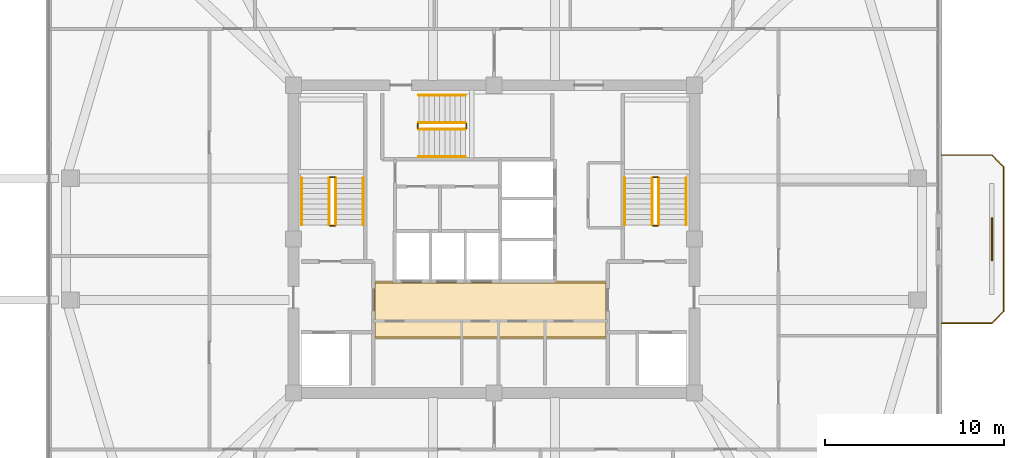
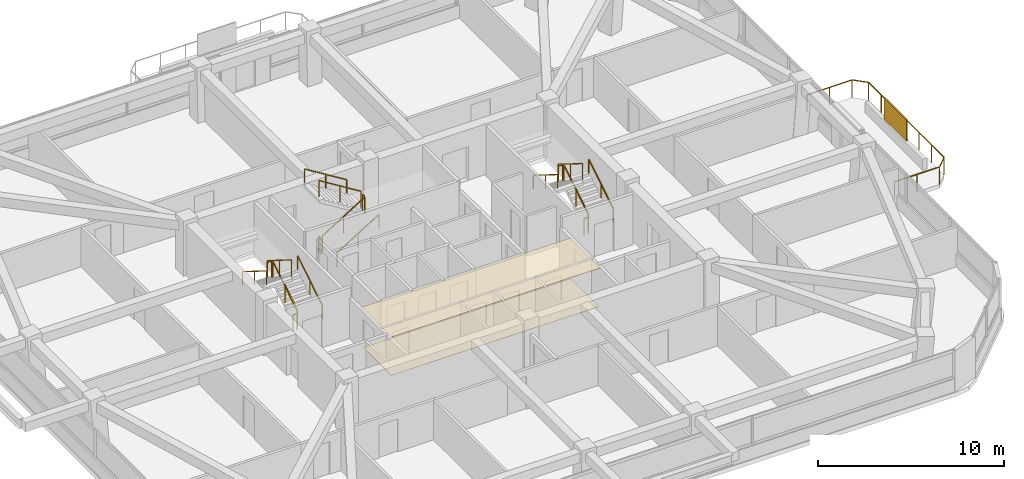
# One storey, part 12 of 13: 19 railings, 2 coverings, 1 shading device.
"""IFC4 building model written with IfcOpenShell, lengths in metres."""

from ifc_helpers import new_model, si_unit, derived_unit, direction, frame, origin, origin_2d, place, context, subcontext, project, spatial, polyline, rectangle, outline, extrude, material, layer, layer_set, type_object, element, save


model = new_model("IFC4")

# Units and contexts
model_context = context("Model", 3, precision=1e-05, world=origin(), true_north=direction((0.0, 1.0)))
body_context = subcontext(model_context, "Body", "Model", "MODEL_VIEW")
ifc_project = project(units=[si_unit("LENGTHUNIT", "METRE"), si_unit("AREAUNIT", "SQUARE_METRE"), si_unit("VOLUMEUNIT", "CUBIC_METRE"), si_unit("PLANEANGLEUNIT", "RADIAN"), si_unit("MASSUNIT", "GRAM", prefix="KILO"), derived_unit("THERMALTRANSMITTANCEUNIT", [(si_unit("POWERUNIT", "WATT"), 1), (si_unit("LENGTHUNIT", "METRE"), -2), (si_unit("THERMODYNAMICTEMPERATUREUNIT", "KELVIN"), -1)])], contexts=[model_context])

# Site, building, storey
site_placement = place(None, origin())
site = spatial("IfcSite", under=ifc_project, at=site_placement, CompositionType="ELEMENT")
building_placement = place(site_placement, origin())
building = spatial("IfcBuilding", under=site, at=building_placement, Name="Koralith Skygarden Medical Center", CompositionType="ELEMENT")
storey_placement = place(building_placement, frame((0.0, 0.0, 196.3798828125)))
storey = spatial("IfcBuildingStorey", under=building, at=storey_placement, Name="L50", CompositionType="ELEMENT", Elevation=196.3798828125)

# Covering
ifc_material_1 = material(Name="Acoustic Mineral Tile")
ifc_layer_1 = layer(ifc_material_1, 0.02001953125)
ifc_layer_set_1 = layer_set([ifc_layer_1], Name="Acoustic Mineral Tile")
covering_type_1 = type_object("IfcCoveringType", Name="Acoustic Hygienic Mineral Ceiling 20", PredefinedType="CEILING", material=ifc_layer_set_1)
covering_1_placement = place(storey_placement, frame((0.0, 0.0, 2.585205078125)))
element("IfcCovering", 1, at=covering_1_placement, inside=storey, type_object=covering_type_1, Name="L50 Core Lobby Acoustic Ceiling", PredefinedType="CEILING", context=body_context, shape_type="SweptSolid", body=[
    extrude(outline(polyline([(30.25, 20.320068359375), (43.35009765625, 20.320068359375), (43.35009765625, 23.56005859375), (30.25, 23.56005859375), (30.25, 20.320068359375)])), origin(), (0.0, 0.0, 1.0), 0.02001953125),
])

# Railing
ifc_material_2 = material(Name="Steel ASTM A500 Grade C", Category="steel")
railing_type_1 = type_object("IfcRailingType", Name="Outdoor Terrace & Balcony Safety Guardrail 1180", PredefinedType="GUARDRAIL", material=ifc_material_2)
railing_1_placement = place(storey_placement, frame((62.02587890625, 21.199951171875, 0.0)))
element("IfcRailing", 2, at=railing_1_placement, inside=storey, type_object=railing_type_1, Name="L50 E Balcony Perimeter Guardrail", PredefinedType="GUARDRAIL", context=body_context, shape_type="SweptSolid", body=[
    extrude(rectangle(XDim=0.050048828125, YDim=0.050048828125, at=origin_2d()), frame((0.001953125, 0.0, 1.15478515625), z_axis=(1.0, 0.0, 0.0), x_axis=(0.0, 1.0, 0.0)), (0.0, 0.0, 1.0), 2.795166015625),
    extrude(rectangle(XDim=0.050048828125, YDim=0.050048828125, at=origin_2d()), frame((2.800537109375, 0.00146484375, 1.15478515625), z_axis=(0.707106781187, 0.707106781187, 0.0), x_axis=(-0.707106781187, 0.707106781187, 0.0)), (0.0, 0.0, 1.0), 0.91552734375),
    extrude(rectangle(XDim=0.050048828125, YDim=0.050048828125, at=origin_2d()), frame((3.44921875, 0.652099609375, 1.15478515625), z_axis=(0.0, 1.0, 0.0), x_axis=(-1.0, 0.0, 0.0)), (0.0, 0.0, 1.0), 8.095947265625),
    extrude(rectangle(XDim=0.050048828125, YDim=0.050048828125, at=origin_2d()), frame((3.44775390625, 8.75146484375, 1.15478515625), z_axis=(-0.707106781187, 0.707106781187, 0.0), x_axis=(-0.707106781187, -0.707106781187, 0.0)), (0.0, 0.0, 1.0), 0.91552734375),
    extrude(rectangle(XDim=0.050048828125, YDim=0.050048828125, at=origin_2d()), frame((2.797119140625, 9.400146484375, 1.15478515625), z_axis=(-1.0, 0.0, 0.0), x_axis=(0.0, -1.0, 0.0)), (0.0, 0.0, 1.0), 2.795166015625),
    extrude(rectangle(XDim=0.0419921875, YDim=0.0419921875, at=origin_2d()), origin(), (0.0, 0.0, 1.0), 1.1279296875),
    extrude(rectangle(XDim=0.0419921875, YDim=0.0419921875, at=origin_2d()), frame((1.3994140625, 0.0, 0.0)), (0.0, 0.0, 1.0), 1.1279296875),
    extrude(rectangle(XDim=0.0419921875, YDim=0.0419921875, at=origin_2d()), frame((2.799072265625, 0.0, 0.0)), (0.0, 0.0, 1.0), 1.1279296875),
    extrude(rectangle(XDim=0.0419921875, YDim=0.0419921875, at=origin_2d()), frame((3.44921875, 0.650146484375, 0.0)), (0.0, 0.0, 1.0), 1.1279296875),
    extrude(rectangle(XDim=0.0419921875, YDim=0.0419921875, at=origin_2d()), frame((3.44921875, 2.0, 0.0)), (0.0, 0.0, 1.0), 1.1279296875),
    extrude(rectangle(XDim=0.0419921875, YDim=0.0419921875, at=origin_2d()), frame((3.44921875, 3.35009765625, 0.0)), (0.0, 0.0, 1.0), 1.1279296875),
    extrude(rectangle(XDim=0.0419921875, YDim=0.0419921875, at=origin_2d()), frame((3.44921875, 4.7001953125, 0.0)), (0.0, 0.0, 1.0), 1.1279296875),
    extrude(rectangle(XDim=0.0419921875, YDim=0.0419921875, at=origin_2d()), frame((3.44921875, 6.050048828125, 0.0)), (0.0, 0.0, 1.0), 1.1279296875),
    extrude(rectangle(XDim=0.0419921875, YDim=0.0419921875, at=origin_2d()), frame((3.44921875, 7.39990234375, 0.0)), (0.0, 0.0, 1.0), 1.1279296875),
    extrude(rectangle(XDim=0.0419921875, YDim=0.0419921875, at=origin_2d()), frame((3.44921875, 8.75, 0.0)), (0.0, 0.0, 1.0), 1.1279296875),
    extrude(rectangle(XDim=0.0419921875, YDim=0.0419921875, at=origin_2d()), frame((2.799072265625, 9.400146484375, 0.0)), (0.0, 0.0, 1.0), 1.1279296875),
    extrude(rectangle(XDim=0.0419921875, YDim=0.0419921875, at=origin_2d()), frame((1.3994140625, 9.400146484375, 0.0)), (0.0, 0.0, 1.0), 1.1279296875),
    extrude(rectangle(XDim=0.0419921875, YDim=0.0419921875, at=origin_2d()), frame((0.0, 9.400146484375, 0.0)), (0.0, 0.0, 1.0), 1.1279296875),
])

# Shading device
ifc_material_3 = material(Name="Aluminium 6063-T6", Category="aluminium")
ifc_layer_2 = layer(ifc_material_3, 0.080078125)
ifc_layer_set_2 = layer_set([ifc_layer_2], Name="Aluminium 6063-T6")
shading_device_type = type_object("IfcShadingDeviceType", Name="Perforated Biophilic Balcony Trellis Screen", PredefinedType="USERDEFINED", material=ifc_layer_set_2)
shading_device_placement = place(storey_placement, frame((64.824951171875, 25.89990234375, 0.72021484375), z_axis=(0.0, 0.0, 1.0), x_axis=(0.0, 1.0, 0.0)))
element("IfcShadingDevice", 3, at=shading_device_placement, inside=storey, type_object=shading_device_type, Name="L50 E Biophilic Balcony Trellis Screen", ObjectType="HURRICANE SCREEN", PredefinedType="USERDEFINED", context=body_context, shape_type="SweptSolid", body=[
    extrude(rectangle(XDim=2.39990234375, YDim=0.080078125, at=origin_2d()), origin(), (0.0, 0.0, 1.0), 1.39990234375),
])

# Covering
ifc_material_4 = material(Name="Medical Terrazzo Flooring")
ifc_layer_3 = layer(ifc_material_4, 0.014892578125)
ifc_layer_set_3 = layer_set([ifc_layer_3], Name="Medical Terrazzo Flooring")
covering_type_2 = type_object("IfcCoveringType", Name="Seamless Antimicrobial Terrazzo Flooring 15", PredefinedType="FLOORING", material=ifc_layer_set_3)
covering_2_placement = place(storey_placement, origin())
element("IfcCovering", 4, at=covering_2_placement, inside=storey, type_object=covering_type_2, Name="L50 Core Lobby Terrazzo Flooring", PredefinedType="FLOORING", context=body_context, shape_type="SweptSolid", body=[
    extrude(outline(polyline([(30.35009765625, 20.419921875), (43.25, 20.419921875), (43.25, 23.4599609375), (30.35009765625, 23.4599609375), (30.35009765625, 20.419921875)])), origin(), (0.0, 0.0, 1.0), 0.01513671875),
])

# Railings
railing_type_2 = type_object("IfcRailingType", Name="Stair Flight Tubular Handrail 920", PredefinedType="HANDRAIL", material=ifc_material_2)
railing_2_placement = place(storey_placement, frame((29.699951171875, 26.699951171875, 0.18017578125)))
element("IfcRailing", 5, at=railing_2_placement, inside=storey, type_object=railing_type_2, Name="L50 ST1 stair handrail 1", PredefinedType="HANDRAIL", context=body_context, shape_type="SweptSolid", body=[
    extrude(rectangle(XDim=0.050048828125, YDim=0.050048828125, at=origin_2d()), frame((0.0, 0.001708984375, 0.89599609375), z_axis=(0.0, 0.849668407637, 0.527317358963), x_axis=(-1.0, 0.0, 0.0)), (0.0, 0.0, 1.0), 3.06787109375),
    extrude(rectangle(XDim=0.0419921875, YDim=0.0419921875, at=origin_2d()), origin(), (0.0, 0.0, 1.0), 0.867919921875),
    extrude(rectangle(XDim=0.0419921875, YDim=0.0419921875, at=origin_2d()), frame((0.0, 1.30517578125, 0.81005859375)), (0.0, 0.0, 1.0), 0.867919921875),
    extrude(rectangle(XDim=0.0419921875, YDim=0.0419921875, at=origin_2d()), frame((0.0, 2.610107421875, 1.619873046875)), (0.0, 0.0, 1.0), 0.867919921875),
])
railing_3_placement = place(storey_placement, frame((26.25, 29.31005859375, 1.980224609375)))
element("IfcRailing", 6, at=railing_3_placement, inside=storey, type_object=railing_type_2, Name="L50 ST1 stair handrail 2", PredefinedType="HANDRAIL", context=body_context, shape_type="SweptSolid", body=[
    extrude(rectangle(XDim=0.050048828125, YDim=0.050048828125, at=origin_2d()), frame((0.0, -0.001708984375, 0.89599609375), z_axis=(0.0, -0.849668407637, 0.527317358963), x_axis=(1.0, 0.0, 0.0)), (0.0, 0.0, 1.0), 3.06787109375),
    extrude(rectangle(XDim=0.0419921875, YDim=0.0419921875, at=origin_2d()), origin(), (0.0, 0.0, 1.0), 0.867919921875),
    extrude(rectangle(XDim=0.0419921875, YDim=0.0419921875, at=origin_2d()), frame((0.0, -1.30517578125, 0.81005859375)), (0.0, 0.0, 1.0), 0.867919921875),
    extrude(rectangle(XDim=0.0419921875, YDim=0.0419921875, at=origin_2d()), frame((0.0, -2.610107421875, 1.619873046875)), (0.0, 0.0, 1.0), 0.867919921875),
])
railing_4_placement = place(storey_placement, frame((47.75, 26.699951171875, 0.18017578125)))
element("IfcRailing", 7, at=railing_4_placement, inside=storey, type_object=railing_type_2, Name="L50 ST2 stair handrail 1", PredefinedType="HANDRAIL", context=body_context, shape_type="SweptSolid", body=[
    extrude(rectangle(XDim=0.050048828125, YDim=0.050048828125, at=origin_2d()), frame((0.0, 0.001708984375, 0.89599609375), z_axis=(0.0, 0.849668407637, 0.527317358963), x_axis=(-1.0, 0.0, 0.0)), (0.0, 0.0, 1.0), 3.06787109375),
    extrude(rectangle(XDim=0.0419921875, YDim=0.0419921875, at=origin_2d()), origin(), (0.0, 0.0, 1.0), 0.867919921875),
    extrude(rectangle(XDim=0.0419921875, YDim=0.0419921875, at=origin_2d()), frame((0.0, 1.30517578125, 0.81005859375)), (0.0, 0.0, 1.0), 0.867919921875),
    extrude(rectangle(XDim=0.0419921875, YDim=0.0419921875, at=origin_2d()), frame((0.0, 2.610107421875, 1.619873046875)), (0.0, 0.0, 1.0), 0.867919921875),
])
railing_5_placement = place(storey_placement, frame((44.300048828125, 29.31005859375, 1.980224609375)))
element("IfcRailing", 8, at=railing_5_placement, inside=storey, type_object=railing_type_2, Name="L50 ST2 stair handrail 2", PredefinedType="HANDRAIL", context=body_context, shape_type="SweptSolid", body=[
    extrude(rectangle(XDim=0.050048828125, YDim=0.050048828125, at=origin_2d()), frame((0.0, -0.001708984375, 0.89599609375), z_axis=(0.0, -0.849668407637, 0.527317358963), x_axis=(1.0, 0.0, 0.0)), (0.0, 0.0, 1.0), 3.06787109375),
    extrude(rectangle(XDim=0.0419921875, YDim=0.0419921875, at=origin_2d()), origin(), (0.0, 0.0, 1.0), 0.867919921875),
    extrude(rectangle(XDim=0.0419921875, YDim=0.0419921875, at=origin_2d()), frame((0.0, -1.30517578125, 0.81005859375)), (0.0, 0.0, 1.0), 0.867919921875),
    extrude(rectangle(XDim=0.0419921875, YDim=0.0419921875, at=origin_2d()), frame((0.0, -2.610107421875, 1.619873046875)), (0.0, 0.0, 1.0), 0.867919921875),
])
railing_6_placement = place(storey_placement, frame((32.800048828125, 30.5, 0.18017578125)))
element("IfcRailing", 9, at=railing_6_placement, inside=storey, type_object=railing_type_2, Name="L50 ST3 stair handrail 1", PredefinedType="HANDRAIL", context=body_context, shape_type="SweptSolid", body=[
    extrude(rectangle(XDim=0.050048828125, YDim=0.050048828125, at=origin_2d()), frame((0.001708984375, 0.0, 0.89599609375), z_axis=(0.849646306263, 0.0, 0.527352969322), x_axis=(0.0, 1.0, 0.0)), (0.0, 0.0, 1.0), 3.067626953125),
    extrude(rectangle(XDim=0.0419921875, YDim=0.0419921875, at=origin_2d()), origin(), (0.0, 0.0, 1.0), 0.867919921875),
    extrude(rectangle(XDim=0.0419921875, YDim=0.0419921875, at=origin_2d()), frame((1.304931640625, 0.0, 0.81005859375)), (0.0, 0.0, 1.0), 0.867919921875),
    extrude(rectangle(XDim=0.0419921875, YDim=0.0419921875, at=origin_2d()), frame((2.60986328125, 0.0, 1.619873046875)), (0.0, 0.0, 1.0), 0.867919921875),
])
railing_7_placement = place(storey_placement, frame((35.409912109375, 33.949951171875, 1.980224609375)))
element("IfcRailing", 10, at=railing_7_placement, inside=storey, type_object=railing_type_2, Name="L50 ST3 stair handrail 2", PredefinedType="HANDRAIL", context=body_context, shape_type="SweptSolid", body=[
    extrude(rectangle(XDim=0.050048828125, YDim=0.050048828125, at=origin_2d()), frame((-0.001708984375, 0.0, 0.89599609375), z_axis=(-0.849646306263, 0.0, 0.527352969322), x_axis=(0.0, -1.0, 0.0)), (0.0, 0.0, 1.0), 3.067626953125),
    extrude(rectangle(XDim=0.0419921875, YDim=0.0419921875, at=origin_2d()), origin(), (0.0, 0.0, 1.0), 0.867919921875),
    extrude(rectangle(XDim=0.0419921875, YDim=0.0419921875, at=origin_2d()), frame((-1.304931640625, 0.0, 0.81005859375)), (0.0, 0.0, 1.0), 0.867919921875),
    extrude(rectangle(XDim=0.0419921875, YDim=0.0419921875, at=origin_2d()), frame((-2.60986328125, 0.0, 1.619873046875)), (0.0, 0.0, 1.0), 0.867919921875),
])
railing_type_3 = type_object("IfcRailingType", Name="Stair Well Safety Guardrail 1100", PredefinedType="GUARDRAIL", material=ifc_material_2)
railing_8_placement = place(storey_placement, frame((28.14990234375, 26.699951171875, 0.18017578125)))
element("IfcRailing", 11, at=railing_8_placement, inside=storey, type_object=railing_type_3, Name="L50 ST1 stair guard 1", PredefinedType="GUARDRAIL", context=body_context, shape_type="SweptSolid", body=[
    extrude(rectangle(XDim=0.050048828125, YDim=0.050048828125, at=origin_2d()), frame((0.0, 0.001708984375, 1.076171875), z_axis=(0.0, 0.849668407637, 0.527317358963), x_axis=(-1.0, 0.0, 0.0)), (0.0, 0.0, 1.0), 3.06787109375),
    extrude(rectangle(XDim=0.0419921875, YDim=0.0419921875, at=origin_2d()), origin(), (0.0, 0.0, 1.0), 1.048095703125),
    extrude(rectangle(XDim=0.0419921875, YDim=0.0419921875, at=origin_2d()), frame((0.0, 1.30517578125, 0.81005859375)), (0.0, 0.0, 1.0), 1.048095703125),
    extrude(rectangle(XDim=0.0419921875, YDim=0.0419921875, at=origin_2d()), frame((0.0, 2.610107421875, 1.619873046875)), (0.0, 0.0, 1.0), 1.048095703125),
])
railing_9_placement = place(storey_placement, frame((28.10009765625, 29.360107421875, 1.800048828125)))
element("IfcRailing", 12, at=railing_9_placement, inside=storey, type_object=railing_type_3, Name="L50 ST1 stair guard 2", PredefinedType="GUARDRAIL", context=body_context, shape_type="SweptSolid", body=[
    extrude(rectangle(XDim=0.050048828125, YDim=0.050048828125, at=origin_2d()), frame((-0.001953125, 0.0, 1.0751953125), z_axis=(-1.0, 0.0, 0.0), x_axis=(0.0, -1.0, 0.0)), (0.0, 0.0, 1.0), 0.24609375),
    extrude(rectangle(XDim=0.0419921875, YDim=0.0419921875, at=origin_2d()), origin(), (0.0, 0.0, 1.0), 1.048095703125),
    extrude(rectangle(XDim=0.0419921875, YDim=0.0419921875, at=origin_2d()), frame((-0.25, 0.0, 0.0)), (0.0, 0.0, 1.0), 1.048095703125),
])
railing_10_placement = place(storey_placement, frame((27.800048828125, 29.31005859375, 1.980224609375)))
element("IfcRailing", 13, at=railing_10_placement, inside=storey, type_object=railing_type_3, Name="L50 ST1 stair guard 3", PredefinedType="GUARDRAIL", context=body_context, shape_type="SweptSolid", body=[
    extrude(rectangle(XDim=0.050048828125, YDim=0.050048828125, at=origin_2d()), frame((0.0, -0.001708984375, 1.076171875), z_axis=(0.0, -0.849668407637, 0.527317358963), x_axis=(1.0, 0.0, 0.0)), (0.0, 0.0, 1.0), 3.06787109375),
    extrude(rectangle(XDim=0.0419921875, YDim=0.0419921875, at=origin_2d()), origin(), (0.0, 0.0, 1.0), 1.048095703125),
    extrude(rectangle(XDim=0.0419921875, YDim=0.0419921875, at=origin_2d()), frame((0.0, -1.30517578125, 0.81005859375)), (0.0, 0.0, 1.0), 1.048095703125),
    extrude(rectangle(XDim=0.0419921875, YDim=0.0419921875, at=origin_2d()), frame((0.0, -2.610107421875, 1.619873046875)), (0.0, 0.0, 1.0), 1.048095703125),
])
railing_11_placement = place(storey_placement, frame((28.10009765625, 26.64990234375, 0.0)))
element("IfcRailing", 14, at=railing_11_placement, inside=storey, type_object=railing_type_3, Name="L50 ST1 stair guard 4", PredefinedType="GUARDRAIL", context=body_context, shape_type="SweptSolid", body=[
    extrude(rectangle(XDim=0.050048828125, YDim=0.050048828125, at=origin_2d()), frame((-0.001953125, 0.0, 1.0751953125), z_axis=(-1.0, 0.0, 0.0), x_axis=(0.0, -1.0, 0.0)), (0.0, 0.0, 1.0), 0.24609375),
    extrude(rectangle(XDim=0.0419921875, YDim=0.0419921875, at=origin_2d()), origin(), (0.0, 0.0, 1.0), 1.048095703125),
    extrude(rectangle(XDim=0.0419921875, YDim=0.0419921875, at=origin_2d()), frame((-0.25, 0.0, 0.0)), (0.0, 0.0, 1.0), 1.048095703125),
])
railing_12_placement = place(storey_placement, frame((46.199951171875, 26.699951171875, 0.18017578125)))
element("IfcRailing", 15, at=railing_12_placement, inside=storey, type_object=railing_type_3, Name="L50 ST2 stair guard 1", PredefinedType="GUARDRAIL", context=body_context, shape_type="SweptSolid", body=[
    extrude(rectangle(XDim=0.050048828125, YDim=0.050048828125, at=origin_2d()), frame((0.0, 0.001708984375, 1.076171875), z_axis=(0.0, 0.849668407637, 0.527317358963), x_axis=(-1.0, 0.0, 0.0)), (0.0, 0.0, 1.0), 3.06787109375),
    extrude(rectangle(XDim=0.0419921875, YDim=0.0419921875, at=origin_2d()), origin(), (0.0, 0.0, 1.0), 1.048095703125),
    extrude(rectangle(XDim=0.0419921875, YDim=0.0419921875, at=origin_2d()), frame((0.0, 1.30517578125, 0.81005859375)), (0.0, 0.0, 1.0), 1.048095703125),
    extrude(rectangle(XDim=0.0419921875, YDim=0.0419921875, at=origin_2d()), frame((0.0, 2.610107421875, 1.619873046875)), (0.0, 0.0, 1.0), 1.048095703125),
])
railing_13_placement = place(storey_placement, frame((46.14990234375, 29.360107421875, 1.800048828125)))
element("IfcRailing", 16, at=railing_13_placement, inside=storey, type_object=railing_type_3, Name="L50 ST2 stair guard 2", PredefinedType="GUARDRAIL", context=body_context, shape_type="SweptSolid", body=[
    extrude(rectangle(XDim=0.050048828125, YDim=0.050048828125, at=origin_2d()), frame((-0.001953125, 0.0, 1.0751953125), z_axis=(-1.0, 0.0, 0.0), x_axis=(0.0, -1.0, 0.0)), (0.0, 0.0, 1.0), 0.24609375),
    extrude(rectangle(XDim=0.0419921875, YDim=0.0419921875, at=origin_2d()), origin(), (0.0, 0.0, 1.0), 1.048095703125),
    extrude(rectangle(XDim=0.0419921875, YDim=0.0419921875, at=origin_2d()), frame((-0.25, 0.0, 0.0)), (0.0, 0.0, 1.0), 1.048095703125),
])
railing_14_placement = place(storey_placement, frame((45.85009765625, 29.31005859375, 1.980224609375)))
element("IfcRailing", 17, at=railing_14_placement, inside=storey, type_object=railing_type_3, Name="L50 ST2 stair guard 3", PredefinedType="GUARDRAIL", context=body_context, shape_type="SweptSolid", body=[
    extrude(rectangle(XDim=0.050048828125, YDim=0.050048828125, at=origin_2d()), frame((0.0, -0.001708984375, 1.076171875), z_axis=(0.0, -0.849668407637, 0.527317358963), x_axis=(1.0, 0.0, 0.0)), (0.0, 0.0, 1.0), 3.06787109375),
    extrude(rectangle(XDim=0.0419921875, YDim=0.0419921875, at=origin_2d()), origin(), (0.0, 0.0, 1.0), 1.048095703125),
    extrude(rectangle(XDim=0.0419921875, YDim=0.0419921875, at=origin_2d()), frame((0.0, -1.30517578125, 0.81005859375)), (0.0, 0.0, 1.0), 1.048095703125),
    extrude(rectangle(XDim=0.0419921875, YDim=0.0419921875, at=origin_2d()), frame((0.0, -2.610107421875, 1.619873046875)), (0.0, 0.0, 1.0), 1.048095703125),
])
railing_15_placement = place(storey_placement, frame((46.14990234375, 26.64990234375, 0.0)))
element("IfcRailing", 18, at=railing_15_placement, inside=storey, type_object=railing_type_3, Name="L50 ST2 stair guard 4", PredefinedType="GUARDRAIL", context=body_context, shape_type="SweptSolid", body=[
    extrude(rectangle(XDim=0.050048828125, YDim=0.050048828125, at=origin_2d()), frame((-0.001953125, 0.0, 1.0751953125), z_axis=(-1.0, 0.0, 0.0), x_axis=(0.0, -1.0, 0.0)), (0.0, 0.0, 1.0), 0.24609375),
    extrude(rectangle(XDim=0.0419921875, YDim=0.0419921875, at=origin_2d()), origin(), (0.0, 0.0, 1.0), 1.048095703125),
    extrude(rectangle(XDim=0.0419921875, YDim=0.0419921875, at=origin_2d()), frame((-0.25, 0.0, 0.0)), (0.0, 0.0, 1.0), 1.048095703125),
])
railing_16_placement = place(storey_placement, frame((32.800048828125, 32.050048828125, 0.18017578125)))
element("IfcRailing", 19, at=railing_16_placement, inside=storey, type_object=railing_type_3, Name="L50 ST3 stair guard 1", PredefinedType="GUARDRAIL", context=body_context, shape_type="SweptSolid", body=[
    extrude(rectangle(XDim=0.050048828125, YDim=0.050048828125, at=origin_2d()), frame((0.001708984375, 0.0, 1.076171875), z_axis=(0.849646306263, 0.0, 0.527352969322), x_axis=(0.0, 1.0, 0.0)), (0.0, 0.0, 1.0), 3.067626953125),
    extrude(rectangle(XDim=0.0419921875, YDim=0.0419921875, at=origin_2d()), origin(), (0.0, 0.0, 1.0), 1.048095703125),
    extrude(rectangle(XDim=0.0419921875, YDim=0.0419921875, at=origin_2d()), frame((1.304931640625, 0.0, 0.81005859375)), (0.0, 0.0, 1.0), 1.048095703125),
    extrude(rectangle(XDim=0.0419921875, YDim=0.0419921875, at=origin_2d()), frame((2.60986328125, 0.0, 1.619873046875)), (0.0, 0.0, 1.0), 1.048095703125),
])
railing_17_placement = place(storey_placement, frame((35.4599609375, 32.10009765625, 1.800048828125)))
element("IfcRailing", 20, at=railing_17_placement, inside=storey, type_object=railing_type_3, Name="L50 ST3 stair guard 2", PredefinedType="GUARDRAIL", context=body_context, shape_type="SweptSolid", body=[
    extrude(rectangle(XDim=0.050048828125, YDim=0.050048828125, at=origin_2d()), frame((0.0, 0.001953125, 1.0751953125), z_axis=(0.0, 1.0, 0.0), x_axis=(-1.0, 0.0, 0.0)), (0.0, 0.0, 1.0), 0.24609375),
    extrude(rectangle(XDim=0.0419921875, YDim=0.0419921875, at=origin_2d()), origin(), (0.0, 0.0, 1.0), 1.048095703125),
    extrude(rectangle(XDim=0.0419921875, YDim=0.0419921875, at=origin_2d()), frame((0.0, 0.25, 0.0)), (0.0, 0.0, 1.0), 1.048095703125),
])
railing_18_placement = place(storey_placement, frame((35.409912109375, 32.39990234375, 1.980224609375)))
element("IfcRailing", 21, at=railing_18_placement, inside=storey, type_object=railing_type_3, Name="L50 ST3 stair guard 3", PredefinedType="GUARDRAIL", context=body_context, shape_type="SweptSolid", body=[
    extrude(rectangle(XDim=0.050048828125, YDim=0.050048828125, at=origin_2d()), frame((-0.001708984375, 0.0, 1.076171875), z_axis=(-0.849646306263, 0.0, 0.527352969322), x_axis=(0.0, -1.0, 0.0)), (0.0, 0.0, 1.0), 3.067626953125),
    extrude(rectangle(XDim=0.0419921875, YDim=0.0419921875, at=origin_2d()), origin(), (0.0, 0.0, 1.0), 1.048095703125),
    extrude(rectangle(XDim=0.0419921875, YDim=0.0419921875, at=origin_2d()), frame((-1.304931640625, 0.0, 0.81005859375)), (0.0, 0.0, 1.0), 1.048095703125),
    extrude(rectangle(XDim=0.0419921875, YDim=0.0419921875, at=origin_2d()), frame((-2.60986328125, 0.0, 1.619873046875)), (0.0, 0.0, 1.0), 1.048095703125),
])
railing_19_placement = place(storey_placement, frame((32.75, 32.10009765625, 0.0)))
element("IfcRailing", 22, at=railing_19_placement, inside=storey, type_object=railing_type_3, Name="L50 ST3 stair guard 4", PredefinedType="GUARDRAIL", context=body_context, shape_type="SweptSolid", body=[
    extrude(rectangle(XDim=0.050048828125, YDim=0.050048828125, at=origin_2d()), frame((0.0, 0.001953125, 1.0751953125), z_axis=(0.0, 1.0, 0.0), x_axis=(-1.0, 0.0, 0.0)), (0.0, 0.0, 1.0), 0.24609375),
    extrude(rectangle(XDim=0.0419921875, YDim=0.0419921875, at=origin_2d()), origin(), (0.0, 0.0, 1.0), 1.048095703125),
    extrude(rectangle(XDim=0.0419921875, YDim=0.0419921875, at=origin_2d()), frame((0.0, 0.25, 0.0)), (0.0, 0.0, 1.0), 1.048095703125),
])

save(model, "model.ifc")
